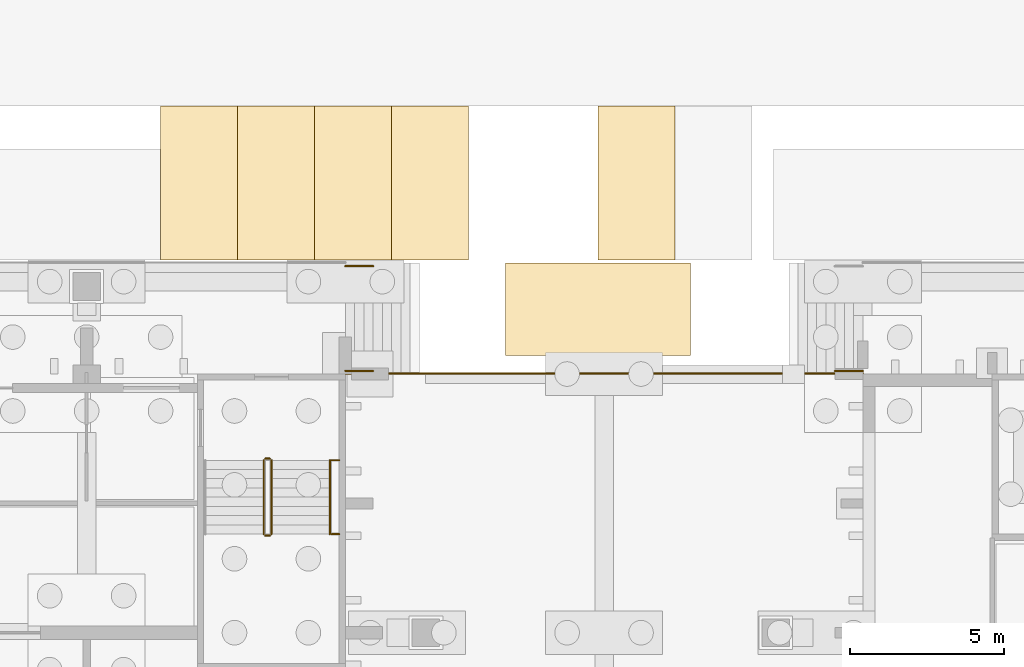
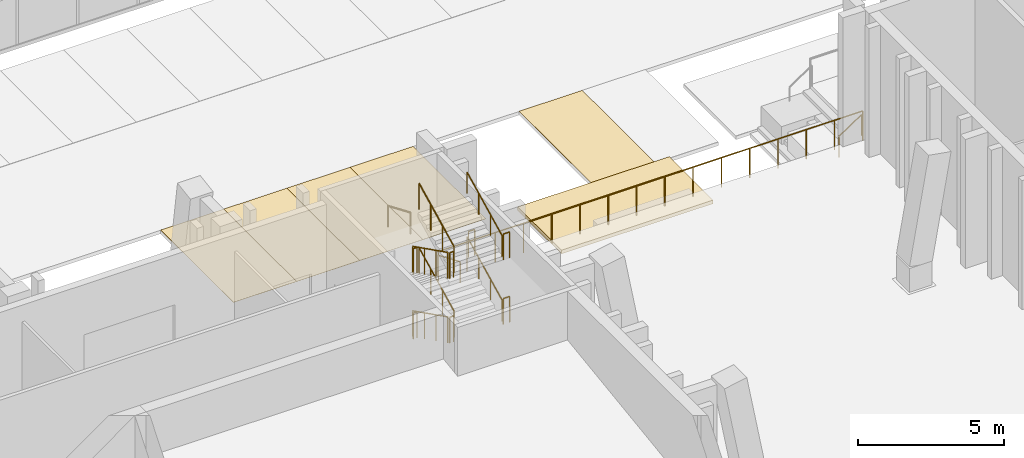
# One storey, part 120 of 129: 17 railings, 6 coverings.
"""IFC4 building model written with IfcOpenShell, lengths in metres."""

import ifcopenshell
import ifcopenshell.guid

model = None  # the IFC model being written
_history = None  # IfcOwnerHistory: only IFC2X3 demands one
_inside = {}  # id of a spatial element -> (the spatial element, [elements in it])
_under = {}  # id of a project, library or spatial element -> (it, [spatial elements below it])
_declared = {}  # id of a project -> (the project, [libraries it declares])
_typed = {}  # id of a type object -> (the type object, [elements of that type])
_made_of = {}  # id of a material, layer set ... -> (it, [elements and type objects made of it])


def new_model(schema):
    """Start an empty IFC model of exactly this schema.

    Asked for "IFC4X3", IfcOpenShell would pick the latest addendum, in which some entities
    have other attributes; the version numbers below select the first issue.
    IFC2X3 requires an IfcOwnerHistory on every rooted entity: one is made here for all.
    """
    global model, _history
    if schema == "IFC4X3":
        model = ifcopenshell.file(schema_version=(4, 3, 0, 0))
    else:
        model = ifcopenshell.file(schema=schema)
    _inside.clear()
    _under.clear()
    _declared.clear()
    _typed.clear()
    _made_of.clear()
    _history = None
    if model.schema == "IFC2X3":
        org = make("IfcOrganization", Name="unknown")
        user = make(
            "IfcPersonAndOrganization",
            ThePerson=make("IfcPerson", FamilyName="unknown"),
            TheOrganization=org,
        )
        app = make(
            "IfcApplication",
            ApplicationDeveloper=org,
            Version="unknown",
            ApplicationFullName="unknown",
            ApplicationIdentifier="unknown",
        )
        _history = make(
            "IfcOwnerHistory",
            OwningUser=user,
            OwningApplication=app,
            ChangeAction="ADDED",
            CreationDate=0,
        )
    return model


def make(cls, **values):
    """One entity of the class cls with the attributes given. An attribute that is None is left unset."""
    return model.create_entity(
        cls, **{name: value for name, value in values.items() if value is not None}
    )


def rooted(cls, **values):
    """An entity with a GlobalId (a new one), such as an element, a storey or a relation."""
    return make(cls, GlobalId=ifcopenshell.guid.new(), OwnerHistory=_history, **values)


def si_unit(unit_type, name, prefix=None):
    """IfcSIUnit, for example si_unit("LENGTHUNIT", "METRE", prefix="MILLI")."""
    return make("IfcSIUnit", UnitType=unit_type, Prefix=prefix, Name=name)


def assignment(units):
    """IfcUnitAssignment: the units of a project."""
    return None if units is None else make("IfcUnitAssignment", Units=units)


def point(xyz):
    """IfcCartesianPoint."""
    return None if xyz is None else make("IfcCartesianPoint", Coordinates=xyz)


def direction(xyz):
    """IfcDirection."""
    return None if xyz is None else make("IfcDirection", DirectionRatios=xyz)


def frame(location, z_axis=None, x_axis=None):
    """IfcAxis2Placement3D, a coordinate frame: its origin and axes. An axis left out is left unset."""
    return make(
        "IfcAxis2Placement3D",
        Location=point(location),
        Axis=direction(z_axis),
        RefDirection=direction(x_axis),
    )


def frame_2d(location, x_axis=None):
    """IfcAxis2Placement2D, a coordinate frame in the plane: its origin and x axis."""
    return make(
        "IfcAxis2Placement2D", Location=point(location), RefDirection=direction(x_axis)
    )


def origin():
    """The frame at (0, 0, 0) with its axes left unset."""
    return frame((0.0, 0.0, 0.0))


def origin_2d():
    """The frame at (0, 0) in the plane with its x axis left unset."""
    return frame_2d((0.0, 0.0))


def place(relative_to, where):
    """IfcLocalPlacement: puts the frame where relative to a parent placement (None: the world)."""
    return make(
        "IfcLocalPlacement", PlacementRelTo=relative_to, RelativePlacement=where
    )


def context(
    kind, dimensions, precision=None, world=None, true_north=None, identifier=None
):
    """IfcGeometricRepresentationContext, for example the 3D "Model" context."""
    return make(
        "IfcGeometricRepresentationContext",
        ContextIdentifier=identifier,
        ContextType=kind,
        CoordinateSpaceDimension=dimensions,
        Precision=precision,
        WorldCoordinateSystem=world,
        TrueNorth=true_north,
    )


def subcontext(parent, identifier, kind, view, scale=None):
    """IfcGeometricRepresentationSubContext, for example "Body" below "Model"."""
    return make(
        "IfcGeometricRepresentationSubContext",
        ContextIdentifier=identifier,
        ContextType=kind,
        ParentContext=parent,
        TargetScale=scale,
        TargetView=view,
    )


def project(units=None, contexts=None):
    """IfcProject with its units and contexts."""
    return rooted(
        "IfcProject",
        Name="project",
        RepresentationContexts=contexts,
        UnitsInContext=assignment(units),
    )


def spatial(cls, under=None, at=None, **own):
    """A site, building, storey or space (cls), placed at a placement, below another one or the project."""
    s = rooted(cls, ObjectPlacement=at, **own)
    if under is not None:
        _under.setdefault(under.id(), (under, []))[1].append(s)
    return s


def polyline(points):
    """IfcPolyline through the points."""
    return make("IfcPolyline", Points=[point(p) for p in points])


def profile(cls, at=None, kind="AREA", **sizes):
    """A parametric profile (cls). Its sizes go by their IFC names, for example OverallWidth=200.0."""
    return make(cls, ProfileType=kind, Position=at, **sizes)


def circle(**sizes):
    """IfcCircleProfileDef."""
    return profile("IfcCircleProfileDef", **sizes)


def outline(outer, holes=None, kind="AREA"):
    """IfcArbitraryClosedProfileDef: a profile drawn as a closed curve; with holes, ...WithVoids."""
    if holes is None:
        return make("IfcArbitraryClosedProfileDef", ProfileType=kind, OuterCurve=outer)
    return make(
        "IfcArbitraryProfileDefWithVoids",
        ProfileType=kind,
        OuterCurve=outer,
        InnerCurves=holes,
    )


def extrude(swept, where, along, depth):
    """IfcExtrudedAreaSolid: the profile swept, set in the frame where, extruded along a direction by depth."""
    return make(
        "IfcExtrudedAreaSolid",
        SweptArea=swept,
        Position=where,
        ExtrudedDirection=direction(along),
        Depth=depth,
    )


def shape(context_of_items, identifier, shape_type, items):
    """IfcShapeRepresentation: the items that make up one representation, for example the "Body"."""
    return make(
        "IfcShapeRepresentation",
        ContextOfItems=context_of_items,
        RepresentationIdentifier=identifier,
        RepresentationType=shape_type,
        Items=items,
    )


def material(Name=None, Category=None):
    """IfcMaterial."""
    return make("IfcMaterial", Name=Name, Category=Category)


def layer(
    of_material, thickness, ventilated=None, Name=None, Category=None, Priority=None
):
    """IfcMaterialLayer: one layer of a wall or slab, of a material (None: an air gap)."""
    return make(
        "IfcMaterialLayer",
        Material=of_material,
        LayerThickness=thickness,
        IsVentilated=ventilated,
        Name=Name,
        Category=Category,
        Priority=Priority,
    )


def layer_set(layers, Name=None):
    """IfcMaterialLayerSet."""
    return make("IfcMaterialLayerSet", MaterialLayers=layers, LayerSetName=Name)


def made_of(thing, what):
    """Note that an element or type object is made of a material, layer set ...; save() writes the relation."""
    if what is not None:
        _made_of.setdefault(what.id(), (what, []))[1].append(thing)
    return thing


def type_object(cls, material=None, **own):
    """A type object (cls), such as IfcWallType, which elements share."""
    return made_of(rooted(cls, **own), material)


def element(
    cls,
    number,
    at=None,
    inside=None,
    cuts=None,
    type_object=None,
    material=None,
    context=None,
    identifier="Body",
    shape_type=None,
    held_by="IfcProductDefinitionShape",
    body=None,
    shapes=None,
    **own,
):
    """One element of the class cls, such as IfcWall. Its Tag is "e" and its number.

    at: its placement. inside: the storey or other place that contains it. cuts: it is an
    opening in that element (IfcRelVoidsElement). A single representation is given by context,
    identifier, shape_type and body (its items); several are given by shapes. held_by: the class
    of the entity that holds the representations. save() writes the other relations.
    """
    e = rooted(cls, Tag="e%d" % number, ObjectPlacement=at, **own)
    if body is not None:
        shapes = [shape(context, identifier, shape_type, body)]
    if shapes is not None:
        e.Representation = make(held_by, Representations=shapes)
    if inside is not None:
        _inside.setdefault(inside.id(), (inside, []))[1].append(e)
    if cuts is not None:
        rooted(
            "IfcRelVoidsElement", RelatingBuildingElement=cuts, RelatedOpeningElement=e
        )
    if type_object is not None:
        _typed.setdefault(type_object.id(), (type_object, []))[1].append(e)
    return made_of(e, material)


def aggregate(whole, parts):
    """IfcRelAggregates: a whole, such as a stair, and the parts it consists of."""
    return rooted("IfcRelAggregates", RelatingObject=whole, RelatedObjects=parts)


def save(model, path):
    """Write the relations noted so far, then the file.

    IfcRelAggregates (storeys below a building ...), IfcRelContainedInSpatialStructure (elements
    in a storey), IfcRelDefinesByType, IfcRelAssociatesMaterial and IfcRelDeclares: one each for
    every whole, place, type object, material and project.
    """
    for whole, parts in _under.values():
        aggregate(whole, parts)
    for where, things in _inside.values():
        rooted(
            "IfcRelContainedInSpatialStructure",
            RelatedElements=things,
            RelatingStructure=where,
        )
    for kind, things in _typed.values():
        rooted("IfcRelDefinesByType", RelatedObjects=things, RelatingType=kind)
    for what, things in _made_of.values():
        rooted("IfcRelAssociatesMaterial", RelatedObjects=things, RelatingMaterial=what)
    for by, libraries in _declared.values():
        rooted("IfcRelDeclares", RelatingContext=by, RelatedDefinitions=libraries)
    model.write(path)


model = new_model("IFC4")

# Units and contexts
model_context = context("Model", 3, precision=1e-05, world=origin(), true_north=direction((0.0, 1.0)))
body_context = subcontext(model_context, "Body", "Model", "MODEL_VIEW")
ifc_project = project(units=[si_unit("LENGTHUNIT", "METRE"), si_unit("AREAUNIT", "SQUARE_METRE"), si_unit("VOLUMEUNIT", "CUBIC_METRE"), si_unit("PLANEANGLEUNIT", "RADIAN"), si_unit("MASSUNIT", "GRAM", prefix="KILO")], contexts=[model_context])

# Site, building, storey
site_placement = place(None, origin())
site = spatial("IfcSite", under=ifc_project, at=site_placement, CompositionType="ELEMENT")
building_placement = place(site_placement, origin())
building = spatial("IfcBuilding", under=site, at=building_placement, Name="Kiln Court Media Centre", CompositionType="ELEMENT")
storey_placement = place(building_placement, origin())
storey = spatial("IfcBuildingStorey", under=building, at=storey_placement, Name="L00", CompositionType="ELEMENT", Elevation=0.0)

# Covering
ifc_material_1 = material(Name="Concrete C30/37", Category="concrete")
ifc_layer_1 = layer(ifc_material_1, 0.14990234375)
ifc_layer_set_1 = layer_set([ifc_layer_1], Name="Concrete C30/37 refuse pad 150")
covering_type_1 = type_object("IfcCoveringType", Name="Concrete C30/37 refuse pad 150", PredefinedType="FLOORING", material=ifc_layer_set_1)
covering_1_placement = place(storey_placement, frame((0.0, 0.0, -1.199951171875)))
element("IfcCovering", 1, at=covering_1_placement, inside=storey, type_object=covering_type_1, Name="Refuse pad", PredefinedType="FLOORING", context=body_context, shape_type="SweptSolid", body=[
    extrude(outline(polyline([(106.0, 67.800048828125), (106.0, 70.800048828125), (112.0, 70.800048828125), (112.0, 67.800048828125), (106.0, 67.800048828125)])), origin(), (0.0, 0.0, 1.0), 0.14990234375),
])

# Railings
ifc_material_2 = material(Name="Steel S275", Category="steel")
railing_type_1 = type_object("IfcRailingType", Name="Steel S275 stair guard 1100", PredefinedType="GUARDRAIL", material=ifc_material_2)
railing_1_placement = place(storey_placement, frame((98.14990234375, 64.39990234375, 0.14990234375)))
element("IfcRailing", 2, at=railing_1_placement, inside=storey, type_object=railing_type_1, Name="ST-12 stair guard", PredefinedType="GUARDRAIL", context=body_context, shape_type="SweptSolid", body=[
    extrude(circle(Radius=0.02392578125, at=origin_2d()), frame((0.0, 0.0, 1.076171875), z_axis=(0.0, -0.894390793703, 0.44728638269), x_axis=(1.0, 0.0, 0.0)), (0.0, 0.0, 1.0), 2.683349609375),
    extrude(circle(Radius=0.02099609375, at=origin_2d()), origin(), (0.0, 0.0, 1.0), 1.052001953125),
    extrude(circle(Radius=0.02099609375, at=origin_2d()), frame((0.0, -0.800048828125, 0.400146484375)), (0.0, 0.0, 1.0), 1.052001953125),
    extrude(circle(Radius=0.02099609375, at=origin_2d()), frame((0.0, -1.599853515625, 0.800048828125)), (0.0, 0.0, 1.0), 1.052001953125),
    extrude(circle(Radius=0.02099609375, at=origin_2d()), frame((0.0, -2.39990234375, 1.2001953125)), (0.0, 0.0, 1.0), 1.052001953125),
])
railing_2_placement = place(storey_placement, frame((98.199951171875, 61.949951171875, 1.35009765625)))
element("IfcRailing", 3, at=railing_2_placement, inside=storey, type_object=railing_type_1, Name="ST-12 stair guard", PredefinedType="GUARDRAIL", context=body_context, shape_type="SweptSolid", body=[
    extrude(circle(Radius=0.02392578125, at=origin_2d()), frame((0.0, 0.0, 1.076171875), z_axis=(1.0, 0.0, 0.0), x_axis=(0.0, 1.0, 0.0)), (0.0, 0.0, 1.0), 0.150146484375),
    extrude(circle(Radius=0.02099609375, at=origin_2d()), origin(), (0.0, 0.0, 1.0), 1.052001953125),
    extrude(circle(Radius=0.02099609375, at=origin_2d()), frame((0.150146484375, 0.0, 0.0)), (0.0, 0.0, 1.0), 1.052001953125),
])
railing_3_placement = place(storey_placement, frame((98.39990234375, 62.0, 1.5)))
element("IfcRailing", 4, at=railing_3_placement, inside=storey, type_object=railing_type_1, Name="ST-12 stair guard", PredefinedType="GUARDRAIL", context=body_context, shape_type="SweptSolid", body=[
    extrude(circle(Radius=0.02392578125, at=origin_2d()), frame((0.0, 0.0, 1.076171875), z_axis=(0.0, 0.894427191, 0.4472135955), x_axis=(-1.0, 0.0, 0.0)), (0.0, 0.0, 1.0), 2.68310546875),
    extrude(circle(Radius=0.02099609375, at=origin_2d()), origin(), (0.0, 0.0, 1.0), 1.052001953125),
    extrude(circle(Radius=0.02099609375, at=origin_2d()), frame((0.0, 0.800048828125, 0.39990234375)), (0.0, 0.0, 1.0), 1.052001953125),
    extrude(circle(Radius=0.02099609375, at=origin_2d()), frame((0.0, 1.599853515625, 0.800048828125)), (0.0, 0.0, 1.0), 1.052001953125),
    extrude(circle(Radius=0.02099609375, at=origin_2d()), frame((0.0, 2.39990234375, 1.199951171875)), (0.0, 0.0, 1.0), 1.052001953125),
])
railing_4_placement = place(storey_placement, frame((98.199951171875, 64.449951171875, 2.699951171875)))
element("IfcRailing", 5, at=railing_4_placement, inside=storey, type_object=railing_type_1, Name="ST-12 stair guard", PredefinedType="GUARDRAIL", context=body_context, shape_type="SweptSolid", body=[
    extrude(circle(Radius=0.02392578125, at=origin_2d()), frame((0.0, 0.0, 1.076171875), z_axis=(1.0, 0.0, 0.0), x_axis=(0.0, 1.0, 0.0)), (0.0, 0.0, 1.0), 0.150146484375),
    extrude(circle(Radius=0.02099609375, at=origin_2d()), origin(), (0.0, 0.0, 1.0), 1.052001953125),
    extrude(circle(Radius=0.02099609375, at=origin_2d()), frame((0.150146484375, 0.0, 0.0)), (0.0, 0.0, 1.0), 1.052001953125),
])
railing_5_placement = place(storey_placement, frame((98.14990234375, 64.39990234375, 2.85009765625)))
element("IfcRailing", 6, at=railing_5_placement, inside=storey, type_object=railing_type_1, Name="ST-12 stair guard", PredefinedType="GUARDRAIL", context=body_context, shape_type="SweptSolid", body=[
    extrude(circle(Radius=0.02392578125, at=origin_2d()), frame((0.0, 0.0, 1.076171875), z_axis=(0.0, -0.894427191, 0.4472135955), x_axis=(1.0, 0.0, 0.0)), (0.0, 0.0, 1.0), 2.68310546875),
    extrude(circle(Radius=0.02099609375, at=origin_2d()), origin(), (0.0, 0.0, 1.0), 1.052001953125),
    extrude(circle(Radius=0.02099609375, at=origin_2d()), frame((0.0, -0.800048828125, 0.39990234375)), (0.0, 0.0, 1.0), 1.052001953125),
    extrude(circle(Radius=0.02099609375, at=origin_2d()), frame((0.0, -1.599853515625, 0.800048828125)), (0.0, 0.0, 1.0), 1.052001953125),
    extrude(circle(Radius=0.02099609375, at=origin_2d()), frame((0.0, -2.39990234375, 1.199951171875)), (0.0, 0.0, 1.0), 1.052001953125),
])
railing_6_placement = place(storey_placement, frame((98.199951171875, 61.949951171875, 4.050048828125)))
element("IfcRailing", 7, at=railing_6_placement, inside=storey, type_object=railing_type_1, Name="ST-12 stair guard", PredefinedType="GUARDRAIL", context=body_context, shape_type="SweptSolid", body=[
    extrude(circle(Radius=0.02392578125, at=origin_2d()), frame((0.0, 0.0, 1.076171875), z_axis=(1.0, 0.0, 0.0), x_axis=(0.0, 1.0, 0.0)), (0.0, 0.0, 1.0), 0.150146484375),
    extrude(circle(Radius=0.02099609375, at=origin_2d()), origin(), (0.0, 0.0, 1.0), 1.052001953125),
    extrude(circle(Radius=0.02099609375, at=origin_2d()), frame((0.150146484375, 0.0, 0.0)), (0.0, 0.0, 1.0), 1.052001953125),
])
railing_7_placement = place(storey_placement, frame((98.39990234375, 62.0, 4.199951171875)))
element("IfcRailing", 8, at=railing_7_placement, inside=storey, type_object=railing_type_1, Name="ST-12 stair guard", PredefinedType="GUARDRAIL", context=body_context, shape_type="SweptSolid", body=[
    extrude(circle(Radius=0.02392578125, at=origin_2d()), frame((0.0, 0.0, 1.076171875), z_axis=(0.0, 0.894427191, 0.4472135955), x_axis=(-1.0, 0.0, 0.0)), (0.0, 0.0, 1.0), 2.68310546875),
    extrude(circle(Radius=0.02099609375, at=origin_2d()), origin(), (0.0, 0.0, 1.0), 1.052001953125),
    extrude(circle(Radius=0.02099609375, at=origin_2d()), frame((0.0, 0.800048828125, 0.39990234375)), (0.0, 0.0, 1.0), 1.052001953125),
    extrude(circle(Radius=0.02099609375, at=origin_2d()), frame((0.0, 1.599853515625, 0.800048828125)), (0.0, 0.0, 1.0), 1.052001953125),
    extrude(circle(Radius=0.02099609375, at=origin_2d()), frame((0.0, 2.39990234375, 1.199951171875)), (0.0, 0.0, 1.0), 1.052001953125),
])
railing_8_placement = place(storey_placement, frame((98.199951171875, 64.449951171875, 0.0)))
element("IfcRailing", 9, at=railing_8_placement, inside=storey, type_object=railing_type_1, Name="ST-12 stair guard", PredefinedType="GUARDRAIL", context=body_context, shape_type="SweptSolid", body=[
    extrude(circle(Radius=0.02392578125, at=origin_2d()), frame((0.0, 0.0, 1.076171875), z_axis=(1.0, 0.0, 0.0), x_axis=(0.0, 1.0, 0.0)), (0.0, 0.0, 1.0), 0.150146484375),
    extrude(circle(Radius=0.02099609375, at=origin_2d()), origin(), (0.0, 0.0, 1.0), 1.052001953125),
    extrude(circle(Radius=0.02099609375, at=origin_2d()), frame((0.150146484375, 0.0, 0.0)), (0.0, 0.0, 1.0), 1.052001953125),
])
for number, where, name in (
    (10, (100.35009765625, 62.0, 1.35009765625), "ST-12 landing edge guard"),
    (11, (100.35009765625, 64.39990234375, 2.699951171875), "ST-12 landing edge guard"),
    (12, (100.35009765625, 62.0, 4.050048828125), "ST-12 landing edge guard"),
):
    element("IfcRailing", number, at=place(storey_placement, frame(where)), inside=storey, type_object=railing_type_1, Name=name, PredefinedType="GUARDRAIL", context=body_context, shape_type="SweptSolid", body=[
        extrude(circle(Radius=0.02392578125, at=origin_2d()), frame((0.0, 0.0, 1.076171875), z_axis=(1.0, 0.0, 0.0), x_axis=(0.0, 1.0, 0.0)), (0.0, 0.0, 1.0), 0.25),
        extrude(circle(Radius=0.02099609375, at=origin_2d()), origin(), (0.0, 0.0, 1.0), 1.052001953125),
        extrude(circle(Radius=0.02099609375, at=origin_2d()), frame((0.25, 0.0, 0.0)), (0.0, 0.0, 1.0), 1.052001953125),
    ])
ifc_material_3 = material(Name="Steel S275", Category="steel")
railing_type_2 = type_object("IfcRailingType", Name="Steel S275 stair handrail 900", PredefinedType="HANDRAIL", material=ifc_material_3)
for number, where, name in (
    (13, (100.300048828125, 62.0, 1.5), "ST-12 stair handrail"),
    (14, (100.300048828125, 62.0, 4.199951171875), "ST-12 stair handrail"),
):
    element("IfcRailing", number, at=place(storey_placement, frame(where)), inside=storey, type_object=railing_type_2, Name=name, PredefinedType="HANDRAIL", context=body_context, shape_type="SweptSolid", body=[
        extrude(circle(Radius=0.02392578125, at=origin_2d()), frame((0.0, 0.0, 0.8759765625), z_axis=(0.0, 0.894427191, 0.4472135955), x_axis=(-1.0, 0.0, 0.0)), (0.0, 0.0, 1.0), 2.68310546875),
        extrude(circle(Radius=0.02099609375, at=origin_2d()), origin(), (0.0, 0.0, 1.0), 0.851806640625),
        extrude(circle(Radius=0.02099609375, at=origin_2d()), frame((0.0, 0.800048828125, 0.39990234375)), (0.0, 0.0, 1.0), 0.851806640625),
        extrude(circle(Radius=0.02099609375, at=origin_2d()), frame((0.0, 1.599853515625, 0.800048828125)), (0.0, 0.0, 1.0), 0.851806640625),
        extrude(circle(Radius=0.02099609375, at=origin_2d()), frame((0.0, 2.39990234375, 1.199951171875)), (0.0, 0.0, 1.0), 0.851806640625),
    ])
ifc_material_4 = material(Name="Steel ASTM A572 Gr 50", Category="steel")
railing_type_3 = type_object("IfcRailingType", Name="Steel guard rail 1100", PredefinedType="GUARDRAIL", material=ifc_material_4)
railing_9_placement = place(storey_placement, frame((100.800048828125, 67.220947265625, -0.14990234375)))
element("IfcRailing", 15, at=railing_9_placement, inside=storey, type_object=railing_type_3, Name="Deck edge guard 8", PredefinedType="GUARDRAIL", context=body_context, shape_type="SweptSolid", body=[
    extrude(circle(Radius=0.02392578125, at=origin_2d()), frame((0.0, 0.0, 1.22607421875), z_axis=(1.0, 0.0, 0.0), x_axis=(0.0, 1.0, 0.0)), (0.0, 0.0, 1.0), 16.800048828125),
    extrude(circle(Radius=0.02099609375, at=origin_2d()), origin(), (0.0, 0.0, 1.0), 1.201904296875),
    extrude(circle(Radius=0.02099609375, at=origin_2d()), frame((1.1201171875, 0.0, 0.0)), (0.0, 0.0, 1.0), 1.201904296875),
    extrude(circle(Radius=0.02099609375, at=origin_2d()), frame((2.239990234375, 0.0, 0.0)), (0.0, 0.0, 1.0), 1.201904296875),
    extrude(circle(Radius=0.02099609375, at=origin_2d()), frame((3.360107421875, 0.0, 0.0)), (0.0, 0.0, 1.0), 1.201904296875),
    extrude(circle(Radius=0.02099609375, at=origin_2d()), frame((4.47998046875, 0.0, 0.0)), (0.0, 0.0, 1.0), 1.201904296875),
    extrude(circle(Radius=0.02099609375, at=origin_2d()), frame((5.60009765625, 0.0, 0.0)), (0.0, 0.0, 1.0), 1.201904296875),
    extrude(circle(Radius=0.02099609375, at=origin_2d()), frame((6.719970703125, 0.0, 0.0)), (0.0, 0.0, 1.0), 1.201904296875),
    extrude(circle(Radius=0.02099609375, at=origin_2d()), frame((7.840087890625, 0.0, 0.0)), (0.0, 0.0, 1.0), 1.201904296875),
    extrude(circle(Radius=0.02099609375, at=origin_2d()), frame((8.9599609375, 0.0, 0.0)), (0.0, 0.0, 1.0), 1.201904296875),
    extrude(circle(Radius=0.02099609375, at=origin_2d()), frame((10.080078125, 0.0, 0.0)), (0.0, 0.0, 1.0), 1.201904296875),
    extrude(circle(Radius=0.02099609375, at=origin_2d()), frame((11.199951171875, 0.0, 0.0)), (0.0, 0.0, 1.0), 1.201904296875),
    extrude(circle(Radius=0.02099609375, at=origin_2d()), frame((12.320068359375, 0.0, 0.0)), (0.0, 0.0, 1.0), 1.201904296875),
    extrude(circle(Radius=0.02099609375, at=origin_2d()), frame((13.43994140625, 0.0, 0.0)), (0.0, 0.0, 1.0), 1.201904296875),
    extrude(circle(Radius=0.02099609375, at=origin_2d()), frame((14.56005859375, 0.0, 0.0)), (0.0, 0.0, 1.0), 1.201904296875),
    extrude(circle(Radius=0.02099609375, at=origin_2d()), frame((15.679931640625, 0.0, 0.0)), (0.0, 0.0, 1.0), 1.201904296875),
    extrude(circle(Radius=0.02099609375, at=origin_2d()), frame((16.800048828125, 0.0, 0.0)), (0.0, 0.0, 1.0), 1.201904296875),
])
ifc_material_5 = material(Name="Steel ASTM A572 Gr 50", Category="steel")
railing_type_4 = type_object("IfcRailingType", Name="Steel handrail 900", PredefinedType="HANDRAIL", material=ifc_material_5)
for number, where, name in (
    (16, (101.699951171875, 67.300048828125, -0.60009765625), "Steps handrail"),
    (17, (101.699951171875, 70.699951171875, -0.60009765625), "Steps handrail"),
):
    element("IfcRailing", number, at=place(storey_placement, frame(where)), inside=storey, type_object=railing_type_4, Name=name, PredefinedType="HANDRAIL", context=body_context, shape_type="SweptSolid", body=[
        extrude(circle(Radius=0.02392578125, at=origin_2d()), frame((0.0, 0.0, 0.8759765625), z_axis=(-0.831980837435, 0.0, 0.554804367449), x_axis=(0.0, -1.0, 0.0)), (0.0, 0.0, 1.0), 1.08154296875),
        extrude(circle(Radius=0.02099609375, at=origin_2d()), origin(), (0.0, 0.0, 1.0), 0.851806640625),
        extrude(circle(Radius=0.02099609375, at=origin_2d()), frame((-0.89990234375, 0.0, 0.60009765625)), (0.0, 0.0, 1.0), 0.851806640625),
    ])
railing_10_placement = place(storey_placement, frame((116.699951171875, 67.300048828125, -0.60009765625)))
element("IfcRailing", 18, at=railing_10_placement, inside=storey, type_object=railing_type_4, Name="Steps handrail", PredefinedType="HANDRAIL", context=body_context, shape_type="SweptSolid", body=[
    extrude(circle(Radius=0.02392578125, at=origin_2d()), frame((0.0, 0.0, 0.8759765625), z_axis=(0.832050294338, 0.0, 0.554700196225), x_axis=(0.0, 1.0, 0.0)), (0.0, 0.0, 1.0), 1.081787109375),
    extrude(circle(Radius=0.02099609375, at=origin_2d()), origin(), (0.0, 0.0, 1.0), 0.851806640625),
    extrude(circle(Radius=0.02099609375, at=origin_2d()), frame((0.900146484375, 0.0, 0.60009765625)), (0.0, 0.0, 1.0), 0.851806640625),
])

# Coverings
ifc_material_6 = material(Name="Thermoplastic road marking", Category="coating")
ifc_layer_2 = layer(ifc_material_6, 0.010009765625)
ifc_layer_set_2 = layer_set([ifc_layer_2], Name="Thermoplastic standard car bay marking 2500x5000")
covering_type_2 = type_object("IfcCoveringType", Name="Thermoplastic standard car bay marking 2500x5000", PredefinedType="FLOORING", material=ifc_layer_set_2)
covering_2_placement = place(storey_placement, frame((0.0, 0.0, -1.199951171875)))
element("IfcCovering", 19, at=covering_2_placement, inside=storey, type_object=covering_type_2, Name="Car bay P076", PredefinedType="FLOORING", context=body_context, shape_type="SweptSolid", body=[
    extrude(outline(polyline([(94.800048828125, 70.89990234375), (97.300048828125, 70.89990234375), (97.300048828125, 75.89990234375), (94.800048828125, 75.89990234375), (94.800048828125, 70.89990234375)])), origin(), (0.0, 0.0, 1.0), 0.010009765625),
])
covering_3_placement = place(storey_placement, frame((0.0, 0.0, -1.199951171875)))
element("IfcCovering", 20, at=covering_3_placement, inside=storey, type_object=covering_type_2, Name="Car bay P077", PredefinedType="FLOORING", context=body_context, shape_type="SweptSolid", body=[
    extrude(outline(polyline([(97.300048828125, 70.89990234375), (99.800048828125, 70.89990234375), (99.800048828125, 75.89990234375), (97.300048828125, 75.89990234375), (97.300048828125, 70.89990234375)])), origin(), (0.0, 0.0, 1.0), 0.010009765625),
])
covering_4_placement = place(storey_placement, frame((0.0, 0.0, -1.199951171875)))
element("IfcCovering", 21, at=covering_4_placement, inside=storey, type_object=covering_type_2, Name="Car bay P078", PredefinedType="FLOORING", context=body_context, shape_type="SweptSolid", body=[
    extrude(outline(polyline([(99.800048828125, 70.89990234375), (102.300048828125, 70.89990234375), (102.300048828125, 75.89990234375), (99.800048828125, 75.89990234375), (99.800048828125, 70.89990234375)])), origin(), (0.0, 0.0, 1.0), 0.010009765625),
])
covering_5_placement = place(storey_placement, frame((0.0, 0.0, -1.199951171875)))
element("IfcCovering", 22, at=covering_5_placement, inside=storey, type_object=covering_type_2, Name="Car bay P079", PredefinedType="FLOORING", context=body_context, shape_type="SweptSolid", body=[
    extrude(outline(polyline([(102.300048828125, 70.89990234375), (104.800048828125, 70.89990234375), (104.800048828125, 75.89990234375), (102.300048828125, 75.89990234375), (102.300048828125, 70.89990234375)])), origin(), (0.0, 0.0, 1.0), 0.010009765625),
])
covering_6_placement = place(storey_placement, frame((0.0, 0.0, -1.199951171875)))
element("IfcCovering", 23, at=covering_6_placement, inside=storey, type_object=covering_type_2, Name="Car bay P080", PredefinedType="FLOORING", context=body_context, shape_type="SweptSolid", body=[
    extrude(outline(polyline([(109.0, 70.89990234375), (111.5, 70.89990234375), (111.5, 75.89990234375), (109.0, 75.89990234375), (109.0, 70.89990234375)])), origin(), (0.0, 0.0, 1.0), 0.010009765625),
])

save(model, "model.ifc")
